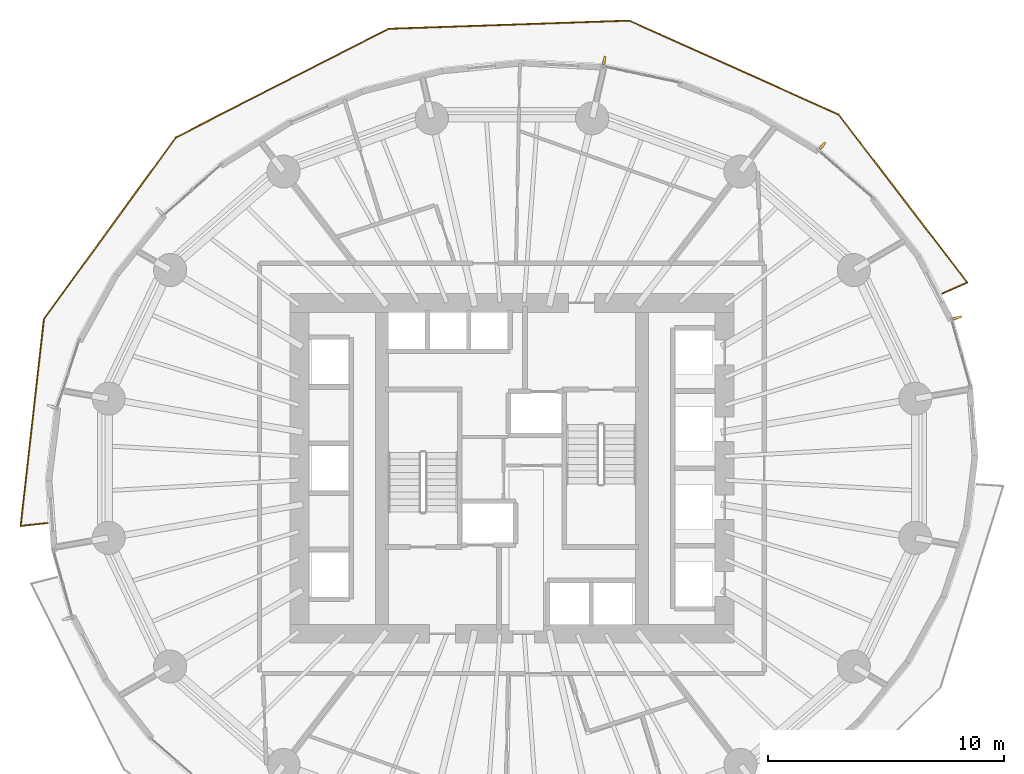
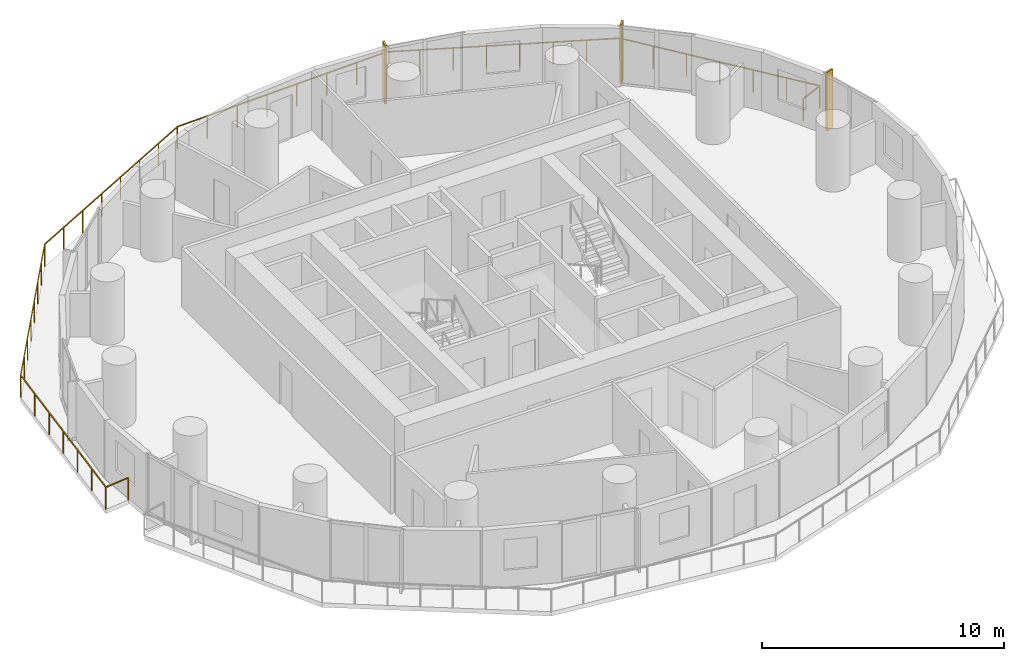
# One storey, part 14 of 14: 3 shading devices, 1 railing.
"""IFC4 building model written with IfcOpenShell, lengths in metres."""

from ifc_helpers import new_model, si_unit, direction, frame, origin, origin_2d, place, context, subcontext, project, spatial, rectangle, extrude, material, layer, layer_set, type_object, element, save


model = new_model("IFC4")

# Units and contexts
model_context = context("Model", 3, precision=1e-05, world=origin(), true_north=direction((0.0, 1.0)))
body_context = subcontext(model_context, "Body", "Model", "MODEL_VIEW")
ifc_project = project(units=[si_unit("LENGTHUNIT", "METRE"), si_unit("AREAUNIT", "SQUARE_METRE"), si_unit("VOLUMEUNIT", "CUBIC_METRE"), si_unit("PLANEANGLEUNIT", "RADIAN"), si_unit("MASSUNIT", "GRAM", prefix="KILO")], contexts=[model_context])

# Site, building, storey
site_placement = place(None, origin())
site = spatial("IfcSite", under=ifc_project, at=site_placement, CompositionType="ELEMENT")
building_placement = place(site_placement, origin())
building = spatial("IfcBuilding", under=site, at=building_placement, Name="Veldorim Arch Residences", CompositionType="ELEMENT")
storey_placement = place(building_placement, frame((0.0, 0.0, 50.39990234375)))
storey = spatial("IfcBuildingStorey", under=building, at=storey_placement, Name="L14", CompositionType="ELEMENT", Elevation=50.39990234375)

# Railing
ifc_material_1 = material(Name="Aluminium", Category="aluminium")
railing_type = type_object("IfcRailingType", Name="Balcony & Terrace Laminated Glass Balustrade 1150", PredefinedType="BALUSTRADE", material=ifc_material_1)
railing_placement = place(storey_placement, frame((50.2177734375, 31.396484375, 0.0)))
element("IfcRailing", 1, at=railing_placement, inside=storey, type_object=railing_type, Name="L14 crescent balcony safety balustrade A", PredefinedType="BALUSTRADE", context=body_context, shape_type="SweptSolid", body=[
    extrude(rectangle(XDim=0.048095703125, YDim=0.048095703125, at=origin_2d()), frame((0.0, 0.0, 1.1259765625), z_axis=(0.914650093829, 0.404246466725, 0.0), x_axis=(-0.404246466725, 0.914650093829, 0.0)), (0.0, 0.0, 1.0), 1.14990234375),
    extrude(rectangle(XDim=0.048095703125, YDim=0.048095703125, at=origin_2d()), frame((1.0517578125, 0.46484375, 1.1259765625), z_axis=(-0.608174072746, 0.793803689358, 0.0), x_axis=(-0.793803689358, -0.608174072746, 0.0)), (0.0, 0.0, 1.0), 8.959228515625),
    extrude(rectangle(XDim=0.048095703125, YDim=0.048095703125, at=origin_2d()), frame((-4.39697265625, 7.57666015625, 1.1259765625), z_axis=(-0.912391461702, 0.409318727416, 0.0), x_axis=(-0.409318727416, -0.912391461702, 0.0)), (0.0, 0.0, 1.0), 9.7080078125),
    extrude(rectangle(XDim=0.048095703125, YDim=0.048095703125, at=origin_2d()), frame((-13.25439453125, 11.55029296875, 1.1259765625), z_axis=(-0.999421900422, -0.033998014005, 0.0), x_axis=(0.033998014005, -0.999421900422, 0.0)), (0.0, 0.0, 1.0), 10.197021484375),
    extrude(rectangle(XDim=0.048095703125, YDim=0.048095703125, at=origin_2d()), frame((-23.445556640625, 11.20361328125, 1.1259765625), z_axis=(-0.890528218544, -0.454928007466, 0.0), x_axis=(0.454928007466, -0.890528218544, 0.0)), (0.0, 0.0, 1.0), 10.105224609375),
    extrude(rectangle(XDim=0.048095703125, YDim=0.048095703125, at=origin_2d()), frame((-32.444580078125, 6.6064453125, 1.1259765625), z_axis=(-0.587653663904, -0.809112582587, 0.0), x_axis=(0.809112582587, -0.587653663904, 0.0)), (0.0, 0.0, 1.0), 9.501708984375),
    extrude(rectangle(XDim=0.048095703125, YDim=0.048095703125, at=origin_2d()), frame((-38.0283203125, -1.08154296875, 1.1259765625), z_axis=(-0.111808793335, -0.993729738779, 0.0), x_axis=(0.993729738779, -0.111808793335, 0.0)), (0.0, 0.0, 1.0), 8.812744140625),
    extrude(rectangle(XDim=0.048095703125, YDim=0.048095703125, at=origin_2d()), frame((-39.013671875, -9.839111328125, 1.1259765625), z_axis=(0.994119643816, 0.108287274316, 0.0), x_axis=(-0.108287274316, 0.994119643816, 0.0)), (0.0, 0.0, 1.0), 1.14990234375),
    extrude(rectangle(XDim=0.0419921875, YDim=0.0419921875, at=origin_2d()), origin(), (0.0, 0.0, 1.0), 1.101806640625),
    extrude(rectangle(XDim=0.0419921875, YDim=0.0419921875, at=origin_2d()), frame((1.0517578125, 0.46484375, 0.0)), (0.0, 0.0, 1.0), 1.101806640625),
    extrude(rectangle(XDim=0.0419921875, YDim=0.0419921875, at=origin_2d()), frame((0.1435546875, 1.650146484375, 0.0)), (0.0, 0.0, 1.0), 1.101806640625),
    extrude(rectangle(XDim=0.0419921875, YDim=0.0419921875, at=origin_2d()), frame((-0.764404296875, 2.83544921875, 0.0)), (0.0, 0.0, 1.0), 1.101806640625),
    extrude(rectangle(XDim=0.0419921875, YDim=0.0419921875, at=origin_2d()), frame((-1.672607421875, 4.020751953125, 0.0)), (0.0, 0.0, 1.0), 1.101806640625),
    extrude(rectangle(XDim=0.0419921875, YDim=0.0419921875, at=origin_2d()), frame((-2.580810546875, 5.2060546875, 0.0)), (0.0, 0.0, 1.0), 1.101806640625),
    extrude(rectangle(XDim=0.0419921875, YDim=0.0419921875, at=origin_2d()), frame((-3.48876953125, 6.391357421875, 0.0)), (0.0, 0.0, 1.0), 1.101806640625),
    extrude(rectangle(XDim=0.0419921875, YDim=0.0419921875, at=origin_2d()), frame((-4.39697265625, 7.57666015625, 0.0)), (0.0, 0.0, 1.0), 1.101806640625),
    extrude(rectangle(XDim=0.0419921875, YDim=0.0419921875, at=origin_2d()), frame((-5.662353515625, 8.144287109375, 0.0)), (0.0, 0.0, 1.0), 1.101806640625),
    extrude(rectangle(XDim=0.0419921875, YDim=0.0419921875, at=origin_2d()), frame((-6.927734375, 8.7119140625, 0.0)), (0.0, 0.0, 1.0), 1.101806640625),
    extrude(rectangle(XDim=0.0419921875, YDim=0.0419921875, at=origin_2d()), frame((-8.193115234375, 9.279541015625, 0.0)), (0.0, 0.0, 1.0), 1.101806640625),
    extrude(rectangle(XDim=0.0419921875, YDim=0.0419921875, at=origin_2d()), frame((-9.458251953125, 9.847412109375, 0.0)), (0.0, 0.0, 1.0), 1.101806640625),
    extrude(rectangle(XDim=0.0419921875, YDim=0.0419921875, at=origin_2d()), frame((-10.7236328125, 10.4150390625, 0.0)), (0.0, 0.0, 1.0), 1.101806640625),
    extrude(rectangle(XDim=0.0419921875, YDim=0.0419921875, at=origin_2d()), frame((-11.989013671875, 10.982666015625, 0.0)), (0.0, 0.0, 1.0), 1.101806640625),
    extrude(rectangle(XDim=0.0419921875, YDim=0.0419921875, at=origin_2d()), frame((-13.25439453125, 11.55029296875, 0.0)), (0.0, 0.0, 1.0), 1.101806640625),
    extrude(rectangle(XDim=0.0419921875, YDim=0.0419921875, at=origin_2d()), frame((-14.710205078125, 11.500732421875, 0.0)), (0.0, 0.0, 1.0), 1.101806640625),
    extrude(rectangle(XDim=0.0419921875, YDim=0.0419921875, at=origin_2d()), frame((-16.166259765625, 11.451171875, 0.0)), (0.0, 0.0, 1.0), 1.101806640625),
    extrude(rectangle(XDim=0.0419921875, YDim=0.0419921875, at=origin_2d()), frame((-17.6220703125, 11.401611328125, 0.0)), (0.0, 0.0, 1.0), 1.101806640625),
    extrude(rectangle(XDim=0.0419921875, YDim=0.0419921875, at=origin_2d()), frame((-19.077880859375, 11.352294921875, 0.0)), (0.0, 0.0, 1.0), 1.101806640625),
    extrude(rectangle(XDim=0.0419921875, YDim=0.0419921875, at=origin_2d()), frame((-20.53369140625, 11.302734375, 0.0)), (0.0, 0.0, 1.0), 1.101806640625),
    extrude(rectangle(XDim=0.0419921875, YDim=0.0419921875, at=origin_2d()), frame((-21.98974609375, 11.253173828125, 0.0)), (0.0, 0.0, 1.0), 1.101806640625),
    extrude(rectangle(XDim=0.0419921875, YDim=0.0419921875, at=origin_2d()), frame((-23.445556640625, 11.20361328125, 0.0)), (0.0, 0.0, 1.0), 1.101806640625),
    extrude(rectangle(XDim=0.0419921875, YDim=0.0419921875, at=origin_2d()), frame((-24.731201171875, 10.546875, 0.0)), (0.0, 0.0, 1.0), 1.101806640625),
    extrude(rectangle(XDim=0.0419921875, YDim=0.0419921875, at=origin_2d()), frame((-26.0166015625, 9.89013671875, 0.0)), (0.0, 0.0, 1.0), 1.101806640625),
    extrude(rectangle(XDim=0.0419921875, YDim=0.0419921875, at=origin_2d()), frame((-27.30224609375, 9.2333984375, 0.0)), (0.0, 0.0, 1.0), 1.101806640625),
    extrude(rectangle(XDim=0.0419921875, YDim=0.0419921875, at=origin_2d()), frame((-28.587890625, 8.57666015625, 0.0)), (0.0, 0.0, 1.0), 1.101806640625),
    extrude(rectangle(XDim=0.0419921875, YDim=0.0419921875, at=origin_2d()), frame((-29.87353515625, 7.919921875, 0.0)), (0.0, 0.0, 1.0), 1.101806640625),
    extrude(rectangle(XDim=0.0419921875, YDim=0.0419921875, at=origin_2d()), frame((-31.158935546875, 7.26318359375, 0.0)), (0.0, 0.0, 1.0), 1.101806640625),
    extrude(rectangle(XDim=0.0419921875, YDim=0.0419921875, at=origin_2d()), frame((-32.444580078125, 6.6064453125, 0.0)), (0.0, 0.0, 1.0), 1.101806640625),
    extrude(rectangle(XDim=0.0419921875, YDim=0.0419921875, at=origin_2d()), frame((-33.2421875, 5.508056640625, 0.0)), (0.0, 0.0, 1.0), 1.101806640625),
    extrude(rectangle(XDim=0.0419921875, YDim=0.0419921875, at=origin_2d()), frame((-34.0400390625, 4.409912109375, 0.0)), (0.0, 0.0, 1.0), 1.101806640625),
    extrude(rectangle(XDim=0.0419921875, YDim=0.0419921875, at=origin_2d()), frame((-34.837646484375, 3.3115234375, 0.0)), (0.0, 0.0, 1.0), 1.101806640625),
    extrude(rectangle(XDim=0.0419921875, YDim=0.0419921875, at=origin_2d()), frame((-35.63525390625, 2.21337890625, 0.0)), (0.0, 0.0, 1.0), 1.101806640625),
    extrude(rectangle(XDim=0.0419921875, YDim=0.0419921875, at=origin_2d()), frame((-36.432861328125, 1.114990234375, 0.0)), (0.0, 0.0, 1.0), 1.101806640625),
    extrude(rectangle(XDim=0.0419921875, YDim=0.0419921875, at=origin_2d()), frame((-37.230712890625, 0.016845703125, 0.0)), (0.0, 0.0, 1.0), 1.101806640625),
    extrude(rectangle(XDim=0.0419921875, YDim=0.0419921875, at=origin_2d()), frame((-38.0283203125, -1.08154296875, 0.0)), (0.0, 0.0, 1.0), 1.101806640625),
    extrude(rectangle(XDim=0.0419921875, YDim=0.0419921875, at=origin_2d()), frame((-38.192626953125, -2.541015625, 0.0)), (0.0, 0.0, 1.0), 1.101806640625),
    extrude(rectangle(XDim=0.0419921875, YDim=0.0419921875, at=origin_2d()), frame((-38.356689453125, -4.000732421875, 0.0)), (0.0, 0.0, 1.0), 1.101806640625),
    extrude(rectangle(XDim=0.0419921875, YDim=0.0419921875, at=origin_2d()), frame((-38.52099609375, -5.46044921875, 0.0)), (0.0, 0.0, 1.0), 1.101806640625),
    extrude(rectangle(XDim=0.0419921875, YDim=0.0419921875, at=origin_2d()), frame((-38.685302734375, -6.919921875, 0.0)), (0.0, 0.0, 1.0), 1.101806640625),
    extrude(rectangle(XDim=0.0419921875, YDim=0.0419921875, at=origin_2d()), frame((-38.849365234375, -8.37939453125, 0.0)), (0.0, 0.0, 1.0), 1.101806640625),
    extrude(rectangle(XDim=0.0419921875, YDim=0.0419921875, at=origin_2d()), frame((-39.013671875, -9.839111328125, 0.0)), (0.0, 0.0, 1.0), 1.101806640625),
    extrude(rectangle(XDim=0.0419921875, YDim=0.0419921875, at=origin_2d()), frame((-37.87060546875, -9.714599609375, 0.0)), (0.0, 0.0, 1.0), 1.101806640625),
])

# Shading devices
ifc_material_2 = material(Name="Terracotta Ceramic", Category="masonry")
ifc_layer = layer(ifc_material_2, 0.090087890625, Name="Vertical Extruded Terracotta Baguette Sun-Shading Fin")
ifc_layer_set = layer_set([ifc_layer], Name="Terracotta Ceramic")
shading_device_type = type_object("IfcShadingDeviceType", Name="Vertical Extruded Terracotta Baguette Sun-Shading Fin", PredefinedType="USERDEFINED", material=ifc_layer_set)
for number, where, z_axis, x_axis, name in (
    (2, (50.850341796875, 30.369140625, 0.0), (0.0, 0.0, 1.0), (0.272784025857, -0.962075296033, 0.0), "L14 vertical terracotta sun-shading fin 01"),
    (3, (45.13623046875, 37.648681640625, 0.0), (0.0, 0.0, 1.0), (0.754136773416, -0.656717387452, 0.0), "L14 vertical terracotta sun-shading fin 04"),
    (4, (35.906005859375, 41.260498046875, 0.0), (0.0, 0.0, 1.0), (0.978256328953, -0.207399505455, 0.0), "L14 vertical terracotta sun-shading fin 07"),
):
    element("IfcShadingDevice", number, at=place(storey_placement, frame(where, z_axis=z_axis, x_axis=x_axis)), inside=storey, type_object=shading_device_type, Name=name, ObjectType="FIN", PredefinedType="USERDEFINED", context=body_context, shape_type="SweptSolid", body=[
        extrude(rectangle(XDim=0.090087890625, YDim=0.360107421875, at=origin_2d()), origin(), (0.0, 0.0, 1.0), 2.9599609375),
    ])

save(model, "model.ifc")
